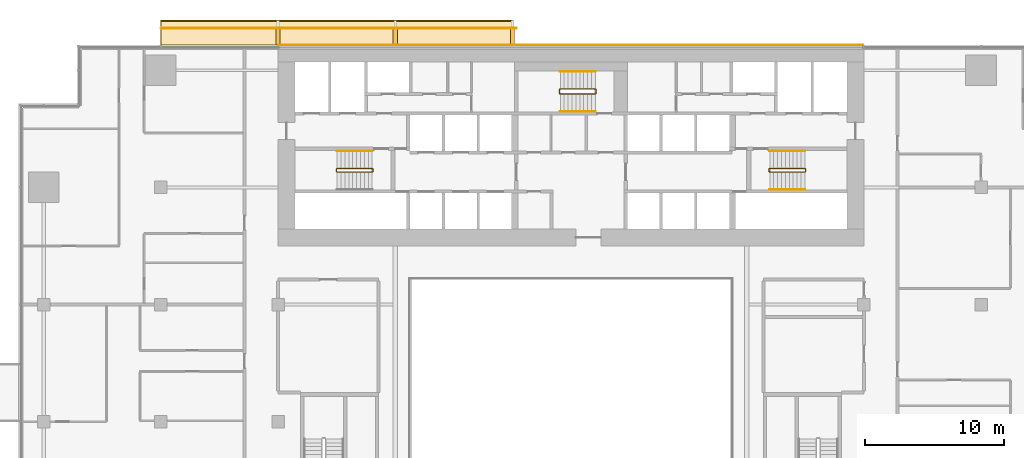
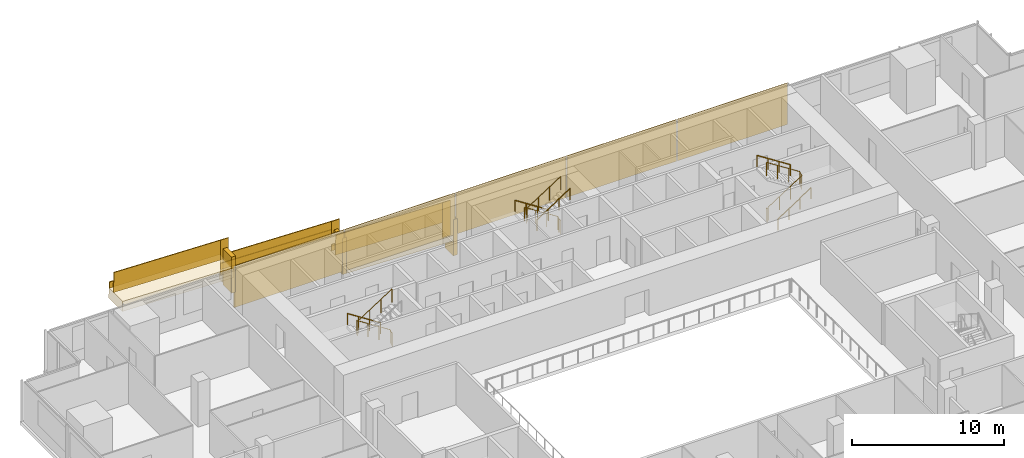
# One storey, part 26 of 27: 14 coverings, 14 railings.
"""IFC4 building model written with IfcOpenShell, lengths in metres."""

from ifc_helpers import new_model, si_unit, direction, frame, origin, origin_2d, place, context, subcontext, project, spatial, polyline, rectangle, circle, outline, extrude, material, layer, layer_set, type_object, element, save


model = new_model("IFC4")

# Units and contexts
model_context = context("Model", 3, precision=1e-05, world=origin(), true_north=direction((0.0, 1.0)))
body_context = subcontext(model_context, "Body", "Model", "MODEL_VIEW")
ifc_project = project(units=[si_unit("LENGTHUNIT", "METRE"), si_unit("AREAUNIT", "SQUARE_METRE"), si_unit("VOLUMEUNIT", "CUBIC_METRE"), si_unit("PLANEANGLEUNIT", "RADIAN"), si_unit("MASSUNIT", "GRAM", prefix="KILO")], contexts=[model_context])

# Site, building, storey
site_placement = place(None, origin())
site = spatial("IfcSite", under=ifc_project, at=site_placement, CompositionType="ELEMENT")
building_placement = place(site_placement, origin())
building = spatial("IfcBuilding", under=site, at=building_placement, Name="Saffron Gate Tower", CompositionType="ELEMENT")
storey_placement = place(building_placement, frame((0.0, 0.0, 66.0)))
storey = spatial("IfcBuildingStorey", under=building, at=storey_placement, Name="L15", CompositionType="ELEMENT", Elevation=66.0)

# Coverings
ifc_material_1 = material(Name="Ceramic-printed bronze insulated panel")
ifc_layer_1 = layer(ifc_material_1, 0.0400390625)
ifc_layer_set_1 = layer_set([ifc_layer_1], Name="CLD1 ceramic-printed cladding panel 40")
covering_type_1 = type_object("IfcCoveringType", Name="CLD1 ceramic-printed cladding panel 40", PredefinedType="CLADDING", material=ifc_layer_set_1)
covering_1_placement = place(storey_placement, origin())
element("IfcCovering", 1, at=covering_1_placement, inside=storey, type_object=covering_type_1, Name="CLADDING ceramic-printed panel", PredefinedType="CLADDING", context=body_context, shape_type="SweptSolid", body=[
    extrude(outline(polyline([(108.56494140625, 75.639892578125), (100.235107421875, 75.639892578125), (100.235107421875, 75.60009765625), (108.56494140625, 75.60009765625), (108.56494140625, 75.639892578125)])), origin(), (0.0, 0.0, 1.0), 3.320068359375),
])
covering_2_placement = place(storey_placement, origin())
element("IfcCovering", 2, at=covering_2_placement, inside=storey, type_object=covering_type_1, Name="CLADDING ceramic-printed panel", PredefinedType="CLADDING", context=body_context, shape_type="SweptSolid", body=[
    extrude(outline(polyline([(100.1650390625, 75.639892578125), (91.8349609375, 75.639892578125), (91.8349609375, 75.60009765625), (100.1650390625, 75.60009765625), (100.1650390625, 75.639892578125)])), origin(), (0.0, 0.0, 1.0), 3.320068359375),
])
covering_3_placement = place(storey_placement, origin())
element("IfcCovering", 3, at=covering_3_placement, inside=storey, type_object=covering_type_1, Name="CLADDING ceramic-printed panel", PredefinedType="CLADDING", context=body_context, shape_type="SweptSolid", body=[
    extrude(outline(polyline([(91.764892578125, 75.639892578125), (83.43505859375, 75.639892578125), (83.43505859375, 75.60009765625), (91.764892578125, 75.60009765625), (91.764892578125, 75.639892578125)])), origin(), (0.0, 0.0, 1.0), 3.320068359375),
])
covering_4_placement = place(storey_placement, origin())
element("IfcCovering", 4, at=covering_4_placement, inside=storey, type_object=covering_type_1, Name="CLADDING ceramic-printed panel", PredefinedType="CLADDING", context=body_context, shape_type="SweptSolid", body=[
    extrude(outline(polyline([(83.364990234375, 75.639892578125), (75.034912109375, 75.639892578125), (75.034912109375, 75.60009765625), (83.364990234375, 75.60009765625), (83.364990234375, 75.639892578125)])), origin(), (0.0, 0.0, 1.0), 3.320068359375),
])
covering_5_placement = place(storey_placement, origin())
element("IfcCovering", 5, at=covering_5_placement, inside=storey, type_object=covering_type_1, Name="CLADDING ceramic-printed panel", PredefinedType="CLADDING", context=body_context, shape_type="SweptSolid", body=[
    extrude(outline(polyline([(74.965087890625, 75.639892578125), (66.635009765625, 75.639892578125), (66.635009765625, 75.60009765625), (74.965087890625, 75.60009765625), (74.965087890625, 75.639892578125)])), origin(), (0.0, 0.0, 1.0), 3.320068359375),
])

# Railings
ifc_material_2 = material(Name="Stainless steel and laminated glass", Category="steel")
railing_type_1 = type_object("IfcRailingType", Name="CR1 Stair guard 1100", PredefinedType="GUARDRAIL", material=ifc_material_2)
railing_1_placement = place(storey_placement, frame((73.39990234375, 66.550048828125, 0.0)))
element("IfcRailing", 6, at=railing_1_placement, inside=storey, type_object=railing_type_1, Name="L15 ST-A stair guard 1", PredefinedType="GUARDRAIL", context=body_context, shape_type="SweptSolid", body=[
    extrude(circle(Radius=0.02392578125, at=origin_2d()), frame((0.0, 0.0, 1.076171875), z_axis=(0.0, 1.0, 0.0), x_axis=(-1.0, 0.0, 0.0)), (0.0, 0.0, 1.0), 0.14990234375),
    extrude(circle(Radius=0.02392578125, at=origin_2d()), frame((0.0, 0.14990234375, 1.076171875), z_axis=(-0.257669022063, 0.258932105505, 0.930892496375), x_axis=(-0.708833529934, -0.705375805398, 0.0)), (0.0, 0.0, 1.0), 0.193359375),
    extrude(circle(Radius=0.02392578125, at=origin_2d()), frame((-0.0498046875, 0.199951171875, 1.255859375), z_axis=(-0.841162588446, 0.0, 0.540782303519), x_axis=(0.0, -1.0, 0.0)), (0.0, 0.0, 1.0), 2.995849609375),
    extrude(circle(Radius=0.02392578125, at=origin_2d()), frame((-2.56982421875, 0.199951171875, 2.8759765625), z_axis=(-0.707106781187, -0.707106781187, 0.0), x_axis=(0.707106781187, -0.707106781187, 0.0)), (0.0, 0.0, 1.0), 0.07080078125),
    extrude(circle(Radius=0.02392578125, at=origin_2d()), frame((-2.619873046875, 0.14990234375, 2.8759765625), z_axis=(0.0, -1.0, 0.0), x_axis=(1.0, 0.0, 0.0)), (0.0, 0.0, 1.0), 0.14990234375),
    extrude(circle(Radius=0.02392578125, at=origin_2d()), frame((-2.619873046875, 0.0, 2.8759765625), z_axis=(0.258847668887, -0.258847668887, 0.930588936439), x_axis=(0.707106781187, 0.707106781187, 0.0)), (0.0, 0.0, 1.0), 0.193359375),
    extrude(circle(Radius=0.02392578125, at=origin_2d()), frame((-2.56982421875, -0.050048828125, 3.05615234375), z_axis=(0.841162588446, 0.0, 0.540782303519), x_axis=(0.0, 1.0, 0.0)), (0.0, 0.0, 1.0), 2.995849609375),
    extrude(circle(Radius=0.02099609375, at=origin_2d()), origin(), (0.0, 0.0, 1.0), 1.052001953125),
    extrude(circle(Radius=0.02099609375, at=origin_2d()), frame((0.0, 0.14990234375, 0.0)), (0.0, 0.0, 1.0), 1.052001953125),
    extrude(circle(Radius=0.02099609375, at=origin_2d()), frame((-0.0498046875, 0.199951171875, 0.179931640625)), (0.0, 0.0, 1.0), 1.052001953125),
    extrude(circle(Radius=0.02099609375, at=origin_2d()), frame((-0.889892578125, 0.199951171875, 0.719970703125)), (0.0, 0.0, 1.0), 1.052001953125),
    extrude(circle(Radius=0.02099609375, at=origin_2d()), frame((-1.729736328125, 0.199951171875, 1.260009765625)), (0.0, 0.0, 1.0), 1.052001953125),
    extrude(circle(Radius=0.02099609375, at=origin_2d()), frame((-2.56982421875, 0.199951171875, 1.800048828125)), (0.0, 0.0, 1.0), 1.052001953125),
    extrude(circle(Radius=0.02099609375, at=origin_2d()), frame((-2.619873046875, 0.14990234375, 1.800048828125)), (0.0, 0.0, 1.0), 1.052001953125),
    extrude(circle(Radius=0.02099609375, at=origin_2d()), frame((-2.619873046875, 0.0, 1.800048828125)), (0.0, 0.0, 1.0), 1.052001953125),
    extrude(circle(Radius=0.02099609375, at=origin_2d()), frame((-2.56982421875, -0.050048828125, 1.97998046875)), (0.0, 0.0, 1.0), 1.052001953125),
    extrude(circle(Radius=0.02099609375, at=origin_2d()), frame((-1.729736328125, -0.050048828125, 2.52001953125)), (0.0, 0.0, 1.0), 1.052001953125),
    extrude(circle(Radius=0.02099609375, at=origin_2d()), frame((-0.889892578125, -0.050048828125, 3.06005859375)), (0.0, 0.0, 1.0), 1.052001953125),
    extrude(circle(Radius=0.02099609375, at=origin_2d()), frame((-0.0498046875, -0.050048828125, 3.60009765625)), (0.0, 0.0, 1.0), 1.052001953125),
])
railing_2_placement = place(storey_placement, frame((101.800048828125, 66.699951171875, 0.0)))
element("IfcRailing", 7, at=railing_2_placement, inside=storey, type_object=railing_type_1, Name="L15 ST-B stair guard 1", PredefinedType="GUARDRAIL", context=body_context, shape_type="SweptSolid", body=[
    extrude(circle(Radius=0.02392578125, at=origin_2d()), frame((0.0, 0.0, 1.076171875), z_axis=(0.0, -1.0, 0.0), x_axis=(1.0, 0.0, 0.0)), (0.0, 0.0, 1.0), 0.14990234375),
    extrude(circle(Radius=0.02392578125, at=origin_2d()), frame((0.0, -0.14990234375, 1.076171875), z_axis=(0.258847668887, -0.258847668887, 0.930588936439), x_axis=(0.707106781187, 0.707106781187, 0.0)), (0.0, 0.0, 1.0), 0.193359375),
    extrude(circle(Radius=0.02392578125, at=origin_2d()), frame((0.050048828125, -0.199951171875, 1.255859375), z_axis=(0.841162588446, 0.0, 0.540782303519), x_axis=(0.0, 1.0, 0.0)), (0.0, 0.0, 1.0), 2.995849609375),
    extrude(circle(Radius=0.02392578125, at=origin_2d()), frame((2.570068359375, -0.199951171875, 2.8759765625), z_axis=(0.705375805398, 0.708833529934, 0.0), x_axis=(-0.708833529934, 0.705375805398, 0.0)), (0.0, 0.0, 1.0), 0.070556640625),
    extrude(circle(Radius=0.02392578125, at=origin_2d()), frame((2.619873046875, -0.14990234375, 2.8759765625), z_axis=(0.0, 1.0, 0.0), x_axis=(-1.0, 0.0, 0.0)), (0.0, 0.0, 1.0), 0.14990234375),
    extrude(circle(Radius=0.02392578125, at=origin_2d()), frame((2.619873046875, 0.0, 2.8759765625), z_axis=(-0.257669022063, 0.258932105505, 0.930892496375), x_axis=(-0.708833529934, -0.705375805398, 0.0)), (0.0, 0.0, 1.0), 0.193359375),
    extrude(circle(Radius=0.02392578125, at=origin_2d()), frame((2.570068359375, 0.050048828125, 3.05615234375), z_axis=(-0.841162588446, 0.0, 0.540782303519), x_axis=(0.0, -1.0, 0.0)), (0.0, 0.0, 1.0), 2.995849609375),
    extrude(circle(Radius=0.02099609375, at=origin_2d()), origin(), (0.0, 0.0, 1.0), 1.052001953125),
    extrude(circle(Radius=0.02099609375, at=origin_2d()), frame((0.0, -0.14990234375, 0.0)), (0.0, 0.0, 1.0), 1.052001953125),
    extrude(circle(Radius=0.02099609375, at=origin_2d()), frame((0.050048828125, -0.199951171875, 0.179931640625)), (0.0, 0.0, 1.0), 1.052001953125),
    extrude(circle(Radius=0.02099609375, at=origin_2d()), frame((0.89013671875, -0.199951171875, 0.719970703125)), (0.0, 0.0, 1.0), 1.052001953125),
    extrude(circle(Radius=0.02099609375, at=origin_2d()), frame((1.72998046875, -0.199951171875, 1.260009765625)), (0.0, 0.0, 1.0), 1.052001953125),
    extrude(circle(Radius=0.02099609375, at=origin_2d()), frame((2.570068359375, -0.199951171875, 1.800048828125)), (0.0, 0.0, 1.0), 1.052001953125),
    extrude(circle(Radius=0.02099609375, at=origin_2d()), frame((2.619873046875, -0.14990234375, 1.800048828125)), (0.0, 0.0, 1.0), 1.052001953125),
    extrude(circle(Radius=0.02099609375, at=origin_2d()), frame((2.619873046875, 0.0, 1.800048828125)), (0.0, 0.0, 1.0), 1.052001953125),
    extrude(circle(Radius=0.02099609375, at=origin_2d()), frame((2.570068359375, 0.050048828125, 1.97998046875)), (0.0, 0.0, 1.0), 1.052001953125),
    extrude(circle(Radius=0.02099609375, at=origin_2d()), frame((1.72998046875, 0.050048828125, 2.52001953125)), (0.0, 0.0, 1.0), 1.052001953125),
    extrude(circle(Radius=0.02099609375, at=origin_2d()), frame((0.89013671875, 0.050048828125, 3.06005859375)), (0.0, 0.0, 1.0), 1.052001953125),
    extrude(circle(Radius=0.02099609375, at=origin_2d()), frame((0.050048828125, 0.050048828125, 3.60009765625)), (0.0, 0.0, 1.0), 1.052001953125),
])
railing_3_placement = place(storey_placement, frame((89.39990234375, 72.14990234375, 0.0)))
element("IfcRailing", 8, at=railing_3_placement, inside=storey, type_object=railing_type_1, Name="L15 ST-C stair guard 1", PredefinedType="GUARDRAIL", context=body_context, shape_type="SweptSolid", body=[
    extrude(circle(Radius=0.02392578125, at=origin_2d()), frame((0.0, 0.0, 1.076171875), z_axis=(0.0, 1.0, 0.0), x_axis=(-1.0, 0.0, 0.0)), (0.0, 0.0, 1.0), 0.25),
    extrude(circle(Radius=0.02392578125, at=origin_2d()), frame((0.0, 0.25, 1.076171875), z_axis=(-0.257669022063, 0.258932105505, 0.930892496375), x_axis=(-0.708833529934, -0.705375805398, 0.0)), (0.0, 0.0, 1.0), 0.193359375),
    extrude(circle(Radius=0.02392578125, at=origin_2d()), frame((-0.0498046875, 0.300048828125, 1.255859375), z_axis=(-0.841162588446, 0.0, 0.540782303519), x_axis=(0.0, -1.0, 0.0)), (0.0, 0.0, 1.0), 2.995849609375),
    extrude(circle(Radius=0.02392578125, at=origin_2d()), frame((-2.56982421875, 0.300048828125, 2.8759765625), z_axis=(-0.707106781187, -0.707106781187, 0.0), x_axis=(0.707106781187, -0.707106781187, 0.0)), (0.0, 0.0, 1.0), 0.07080078125),
    extrude(circle(Radius=0.02392578125, at=origin_2d()), frame((-2.619873046875, 0.25, 2.8759765625), z_axis=(0.0, -1.0, 0.0), x_axis=(1.0, 0.0, 0.0)), (0.0, 0.0, 1.0), 0.25),
    extrude(circle(Radius=0.02392578125, at=origin_2d()), frame((-2.619873046875, 0.0, 2.8759765625), z_axis=(0.258932105505, -0.257669022063, 0.930892496375), x_axis=(0.705375805398, 0.708833529934, 0.0)), (0.0, 0.0, 1.0), 0.193359375),
    extrude(circle(Radius=0.02392578125, at=origin_2d()), frame((-2.56982421875, -0.0498046875, 3.05615234375), z_axis=(0.841162588446, 0.0, 0.540782303519), x_axis=(0.0, 1.0, 0.0)), (0.0, 0.0, 1.0), 2.995849609375),
    extrude(circle(Radius=0.02099609375, at=origin_2d()), origin(), (0.0, 0.0, 1.0), 1.052001953125),
    extrude(circle(Radius=0.02099609375, at=origin_2d()), frame((0.0, 0.25, 0.0)), (0.0, 0.0, 1.0), 1.052001953125),
    extrude(circle(Radius=0.02099609375, at=origin_2d()), frame((-0.0498046875, 0.300048828125, 0.179931640625)), (0.0, 0.0, 1.0), 1.052001953125),
    extrude(circle(Radius=0.02099609375, at=origin_2d()), frame((-0.889892578125, 0.300048828125, 0.719970703125)), (0.0, 0.0, 1.0), 1.052001953125),
    extrude(circle(Radius=0.02099609375, at=origin_2d()), frame((-1.729736328125, 0.300048828125, 1.260009765625)), (0.0, 0.0, 1.0), 1.052001953125),
    extrude(circle(Radius=0.02099609375, at=origin_2d()), frame((-2.56982421875, 0.300048828125, 1.800048828125)), (0.0, 0.0, 1.0), 1.052001953125),
    extrude(circle(Radius=0.02099609375, at=origin_2d()), frame((-2.619873046875, 0.25, 1.800048828125)), (0.0, 0.0, 1.0), 1.052001953125),
    extrude(circle(Radius=0.02099609375, at=origin_2d()), frame((-2.619873046875, 0.0, 1.800048828125)), (0.0, 0.0, 1.0), 1.052001953125),
    extrude(circle(Radius=0.02099609375, at=origin_2d()), frame((-2.56982421875, -0.0498046875, 1.97998046875)), (0.0, 0.0, 1.0), 1.052001953125),
    extrude(circle(Radius=0.02099609375, at=origin_2d()), frame((-1.729736328125, -0.0498046875, 2.52001953125)), (0.0, 0.0, 1.0), 1.052001953125),
    extrude(circle(Radius=0.02099609375, at=origin_2d()), frame((-0.889892578125, -0.0498046875, 3.06005859375)), (0.0, 0.0, 1.0), 1.052001953125),
    extrude(circle(Radius=0.02099609375, at=origin_2d()), frame((-0.0498046875, -0.0498046875, 3.60009765625)), (0.0, 0.0, 1.0), 1.052001953125),
])
ifc_material_3 = material(Name="Stainless steel", Category="steel")
railing_type_2 = type_object("IfcRailingType", Name="CR2 Stair handrail 900", PredefinedType="HANDRAIL", material=ifc_material_3)
railing_4_placement = place(storey_placement, frame((73.35009765625, 68.0, 0.179931640625)))
element("IfcRailing", 9, at=railing_4_placement, inside=storey, type_object=railing_type_2, Name="L15 ST-A stair handrail 1", PredefinedType="HANDRAIL", context=body_context, shape_type="SweptSolid", body=[
    extrude(circle(Radius=0.02392578125, at=origin_2d()), frame((0.0, 0.0, 0.8759765625), z_axis=(-0.841162588446, 0.0, 0.540782303519), x_axis=(0.0, -1.0, 0.0)), (0.0, 0.0, 1.0), 2.995849609375),
    extrude(circle(Radius=0.02099609375, at=origin_2d()), origin(), (0.0, 0.0, 1.0), 0.851806640625),
    extrude(circle(Radius=0.02099609375, at=origin_2d()), frame((-0.840087890625, 0.0, 0.5400390625)), (0.0, 0.0, 1.0), 0.851806640625),
    extrude(circle(Radius=0.02099609375, at=origin_2d()), frame((-1.679931640625, 0.0, 1.080078125)), (0.0, 0.0, 1.0), 0.851806640625),
    extrude(circle(Radius=0.02099609375, at=origin_2d()), frame((-2.52001953125, 0.0, 1.6201171875)), (0.0, 0.0, 1.0), 0.851806640625),
])
railing_5_placement = place(storey_placement, frame((101.85009765625, 65.25, 0.179931640625)))
element("IfcRailing", 10, at=railing_5_placement, inside=storey, type_object=railing_type_2, Name="L15 ST-B stair handrail 1", PredefinedType="HANDRAIL", context=body_context, shape_type="SweptSolid", body=[
    extrude(circle(Radius=0.02392578125, at=origin_2d()), frame((0.0, 0.0, 0.8759765625), z_axis=(0.841162588446, 0.0, 0.540782303519), x_axis=(0.0, 1.0, 0.0)), (0.0, 0.0, 1.0), 2.995849609375),
    extrude(circle(Radius=0.02099609375, at=origin_2d()), origin(), (0.0, 0.0, 1.0), 0.851806640625),
    extrude(circle(Radius=0.02099609375, at=origin_2d()), frame((0.840087890625, 0.0, 0.5400390625)), (0.0, 0.0, 1.0), 0.851806640625),
    extrude(circle(Radius=0.02099609375, at=origin_2d()), frame((1.679931640625, 0.0, 1.080078125)), (0.0, 0.0, 1.0), 0.851806640625),
    extrude(circle(Radius=0.02099609375, at=origin_2d()), frame((2.52001953125, 0.0, 1.6201171875)), (0.0, 0.0, 1.0), 0.851806640625),
])
for number, where, name in (
    (11, (104.3701171875, 68.0, 1.97998046875), "L15 ST-B stair handrail 2"),
    (12, (89.35009765625, 73.699951171875, 0.179931640625), "L15 ST-C stair handrail 1"),
):
    element("IfcRailing", number, at=place(storey_placement, frame(where)), inside=storey, type_object=railing_type_2, Name=name, PredefinedType="HANDRAIL", context=body_context, shape_type="SweptSolid", body=[
        extrude(circle(Radius=0.02392578125, at=origin_2d()), frame((0.0, 0.0, 0.8759765625), z_axis=(-0.841162588446, 0.0, 0.540782303519), x_axis=(0.0, -1.0, 0.0)), (0.0, 0.0, 1.0), 2.995849609375),
        extrude(circle(Radius=0.02099609375, at=origin_2d()), origin(), (0.0, 0.0, 1.0), 0.851806640625),
        extrude(circle(Radius=0.02099609375, at=origin_2d()), frame((-0.840087890625, 0.0, 0.5400390625)), (0.0, 0.0, 1.0), 0.851806640625),
        extrude(circle(Radius=0.02099609375, at=origin_2d()), frame((-1.679931640625, 0.0, 1.080078125)), (0.0, 0.0, 1.0), 0.851806640625),
        extrude(circle(Radius=0.02099609375, at=origin_2d()), frame((-2.52001953125, 0.0, 1.6201171875)), (0.0, 0.0, 1.0), 0.851806640625),
    ])
railing_6_placement = place(storey_placement, frame((86.830078125, 70.85009765625, 1.97998046875)))
element("IfcRailing", 13, at=railing_6_placement, inside=storey, type_object=railing_type_2, Name="L15 ST-C stair handrail 2", PredefinedType="HANDRAIL", context=body_context, shape_type="SweptSolid", body=[
    extrude(circle(Radius=0.02392578125, at=origin_2d()), frame((0.0, 0.0, 0.8759765625), z_axis=(0.841162588446, 0.0, 0.540782303519), x_axis=(0.0, 1.0, 0.0)), (0.0, 0.0, 1.0), 2.995849609375),
    extrude(circle(Radius=0.02099609375, at=origin_2d()), origin(), (0.0, 0.0, 1.0), 0.851806640625),
    extrude(circle(Radius=0.02099609375, at=origin_2d()), frame((0.840087890625, 0.0, 0.5400390625)), (0.0, 0.0, 1.0), 0.851806640625),
    extrude(circle(Radius=0.02099609375, at=origin_2d()), frame((1.679931640625, 0.0, 1.080078125)), (0.0, 0.0, 1.0), 0.851806640625),
    extrude(circle(Radius=0.02099609375, at=origin_2d()), frame((2.52001953125, 0.0, 1.6201171875)), (0.0, 0.0, 1.0), 0.851806640625),
])

# Coverings
ifc_material_4 = material(Name="Timber, thermally modified ash", Category="wood")
ifc_layer_2 = layer(ifc_material_4, 0.800048828125)
ifc_layer_set_2 = layer_set([ifc_layer_2], Name="LD1 ledge timber")
covering_type_2 = type_object("IfcCoveringType", Name="LD1 ledge timber", PredefinedType="CLADDING", material=ifc_layer_set_2)
for number, where, z_axis, x_axis, name in (
    (14, (83.39990234375, 75.60009765625, 0.32861328125), (0.028791175352, 0.0, 0.999585448184), (-0.999585448184, 0.0, 0.028791175352), "LEDGE"),
    (15, (75.0, 75.60009765625, 1.77099609375), (0.028791175352, 0.0, 0.999585448184), (-0.999585448184, 0.0, 0.028791175352), "LEDGE"),
):
    element("IfcCovering", number, at=place(storey_placement, frame(where, z_axis=z_axis, x_axis=x_axis)), inside=storey, type_object=covering_type_2, Name=name, PredefinedType="CLADDING", context=body_context, shape_type="SweptSolid", body=[
        extrude(outline(polyline([(0.0, 0.0), (8.403385982666892, 0.0), (8.403385982666892, -1.7998046875), (0.0, -1.7998046875), (0.0, 0.0)])), origin(), (0.0, 0.0, -1.0), 0.800048828125),
    ])
covering_6_placement = place(storey_placement, frame((66.60009765625, 75.60009765625, 3.21337890625), z_axis=(0.028790339263, 0.0, 0.999585472266), x_axis=(-0.999585472266, 0.0, 0.028790339263)))
element("IfcCovering", 16, at=covering_6_placement, inside=storey, type_object=covering_type_2, Name="LEDGE", PredefinedType="CLADDING", context=body_context, shape_type="SweptSolid", body=[
    extrude(outline(polyline([(0.0, 0.0), (8.403630022085892, 0.0), (8.403630022085892, -1.7998046875), (0.0, -1.7998046875), (0.0, 0.0)])), origin(), (0.0, 0.0, -1.0), 0.800048828125),
])
ifc_layer_3 = layer(ifc_material_4, 0.080078125)
ifc_layer_set_3 = layer_set([ifc_layer_3], Name="LD2 ledge planter trough")
covering_type_3 = type_object("IfcCoveringType", Name="LD2 ledge planter trough", PredefinedType="CLADDING", material=ifc_layer_set_3)
for number, where, z_axis, x_axis, name in (
    (17, (83.39990234375, 77.39990234375, 0.32861328125), (0.0, 1.0, 0.0), (-0.999585448184, 0.0, 0.028791175352), "LEDGE planter trough"),
    (18, (75.0, 77.39990234375, 1.77099609375), (0.0, 1.0, 0.0), (-0.999585448184, 0.0, 0.028791175352), "LEDGE planter trough"),
):
    element("IfcCovering", number, at=place(storey_placement, frame(where, z_axis=z_axis, x_axis=x_axis)), inside=storey, type_object=covering_type_3, Name=name, PredefinedType="CLADDING", context=body_context, shape_type="SweptSolid", body=[
        extrude(outline(polyline([(0.0, 0.0), (8.403385982666892, 0.0), (8.417781570342743, 0.49979272409216496), (0.014395587675851172, 0.4997927240921649), (0.0, 0.0)])), origin(), (0.0, 0.0, -1.0), 0.080078125),
    ])
covering_7_placement = place(storey_placement, frame((66.60009765625, 77.39990234375, 3.21337890625), z_axis=(0.0, 1.0, 0.0), x_axis=(-0.999585472266, 0.0, 0.028790339263)))
element("IfcCovering", 19, at=covering_7_placement, inside=storey, type_object=covering_type_3, Name="LEDGE planter trough", PredefinedType="CLADDING", context=body_context, shape_type="SweptSolid", body=[
    extrude(outline(polyline([(0.0, 0.0), (8.403630022085892, 0.0), (8.418025191717298, 0.4997927361329725), (0.014395169631405694, 0.4997927361329725), (0.0, 0.0)])), origin(), (0.0, 0.0, -1.0), 0.080078125),
])
ifc_layer_4 = layer(ifc_material_4, 0.300048828125)
ifc_layer_set_4 = layer_set([ifc_layer_4], Name="LD3 ledge riser fin")
covering_type_4 = type_object("IfcCoveringType", Name="LD3 ledge riser fin", PredefinedType="CLADDING", material=ifc_layer_set_4)
for number, where, z_axis, x_axis, name in (
    (20, (83.39990234375, 76.159912109375, -1.671875), (0.0, 0.0, 1.0), (-1.0, 0.0, 0.0), "LEDGE riser fin"),
    (21, (75.0, 76.159912109375, -0.2294921875), (0.0, 0.0, 1.0), (-1.0, 0.0, 0.0), "LEDGE riser fin"),
    (22, (66.60009765625, 76.159912109375, 1.212890625), (0.0, 0.0, 1.0), (-1.0, 0.0, 0.0), "LEDGE riser fin"),
):
    element("IfcCovering", number, at=place(storey_placement, frame(where, z_axis=z_axis, x_axis=x_axis)), inside=storey, type_object=covering_type_4, Name=name, PredefinedType="CLADDING", context=body_context, shape_type="SweptSolid", body=[
        extrude(rectangle(XDim=0.300048828125, YDim=1.1201171875, at=origin_2d()), origin(), (0.0, 0.0, 1.0), 2.900390625),
    ])

# Railings
railing_type_3 = type_object("IfcRailingType", Name="LG1 ledge balustrade", PredefinedType="BALUSTRADE", material=ifc_material_4)
railing_7_placement = place(storey_placement, frame((83.39990234375, 76.800048828125, 0.32861328125)))
element("IfcRailing", 23, at=railing_7_placement, inside=storey, type_object=railing_type_3, Name="LEDGE BALUSTRADE", PredefinedType="BALUSTRADE", context=body_context, shape_type="SweptSolid", body=[
    extrude(rectangle(XDim=0.06005859375, YDim=1.60009765625, at=origin_2d()), frame((0.0, 0.0, 0.800048828125), z_axis=(-0.999585448184, 0.0, 0.028791175352), x_axis=(0.0, -1.0, 0.0)), (0.0, 0.0, 1.0), 8.4033203125),
])
railing_8_placement = place(storey_placement, frame((83.699951171875, 76.800048828125, -0.871826171875)))
element("IfcRailing", 24, at=railing_8_placement, inside=storey, type_object=railing_type_3, Name="LEDGE BALUSTRADE", PredefinedType="BALUSTRADE", context=body_context, shape_type="SweptSolid", body=[
    extrude(rectangle(XDim=0.06005859375, YDim=2.80029296875, at=origin_2d()), frame((0.0, 0.0, 1.400146484375), z_axis=(-1.0, 0.0, 0.0), x_axis=(0.0, -1.0, 0.0)), (0.0, 0.0, 1.0), 0.599853515625),
])
railing_9_placement = place(storey_placement, frame((75.0, 76.800048828125, 1.77099609375)))
element("IfcRailing", 25, at=railing_9_placement, inside=storey, type_object=railing_type_3, Name="LEDGE BALUSTRADE", PredefinedType="BALUSTRADE", context=body_context, shape_type="SweptSolid", body=[
    extrude(rectangle(XDim=0.06005859375, YDim=1.60009765625, at=origin_2d()), frame((0.0, 0.0, 0.800048828125), z_axis=(-0.999585448184, 0.0, 0.028791175352), x_axis=(0.0, -1.0, 0.0)), (0.0, 0.0, 1.0), 8.4033203125),
])
railing_10_placement = place(storey_placement, frame((75.300048828125, 76.800048828125, 0.570556640625)))
element("IfcRailing", 26, at=railing_10_placement, inside=storey, type_object=railing_type_3, Name="LEDGE BALUSTRADE", PredefinedType="BALUSTRADE", context=body_context, shape_type="SweptSolid", body=[
    extrude(rectangle(XDim=0.06005859375, YDim=2.80029296875, at=origin_2d()), frame((0.0, 0.0, 1.400146484375), z_axis=(-1.0, 0.0, 0.0), x_axis=(0.0, -1.0, 0.0)), (0.0, 0.0, 1.0), 0.60009765625),
])
railing_11_placement = place(storey_placement, frame((66.60009765625, 76.800048828125, 3.21337890625)))
element("IfcRailing", 27, at=railing_11_placement, inside=storey, type_object=railing_type_3, Name="LEDGE BALUSTRADE", PredefinedType="BALUSTRADE", context=body_context, shape_type="SweptSolid", body=[
    extrude(rectangle(XDim=0.06005859375, YDim=1.60009765625, at=origin_2d()), frame((0.0, 0.0, 0.800048828125), z_axis=(-0.999585472266, 0.0, 0.028790339263), x_axis=(0.0, -1.0, 0.0)), (0.0, 0.0, 1.0), 8.403564453125),
])
railing_12_placement = place(storey_placement, frame((66.89990234375, 76.800048828125, 2.012939453125)))
element("IfcRailing", 28, at=railing_12_placement, inside=storey, type_object=railing_type_3, Name="LEDGE BALUSTRADE", PredefinedType="BALUSTRADE", context=body_context, shape_type="SweptSolid", body=[
    extrude(rectangle(XDim=0.06005859375, YDim=2.80029296875, at=origin_2d()), frame((0.0, 0.0, 1.400146484375), z_axis=(-1.0, 0.0, 0.0), x_axis=(0.0, -1.0, 0.0)), (0.0, 0.0, 1.0), 0.599853515625),
])

save(model, "model.ifc")
